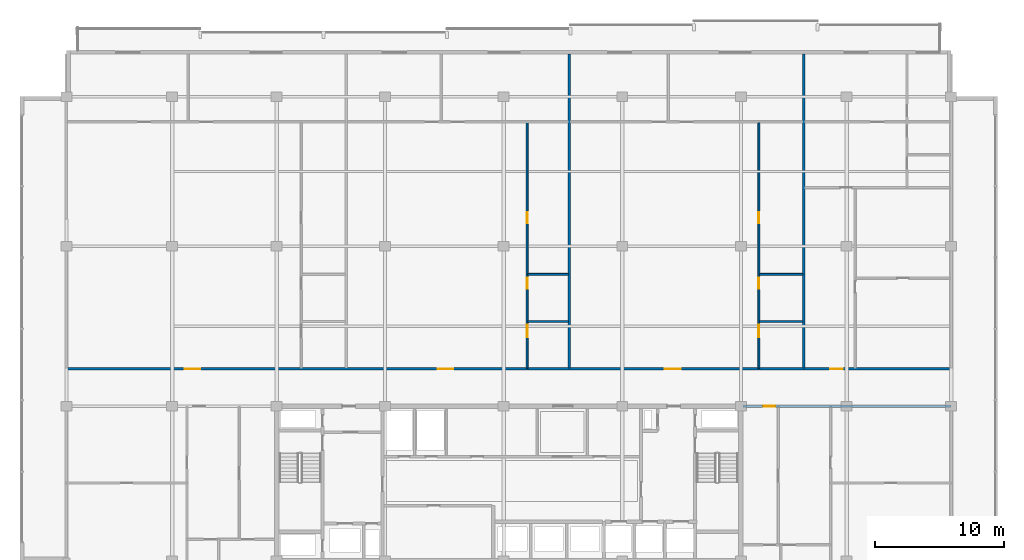
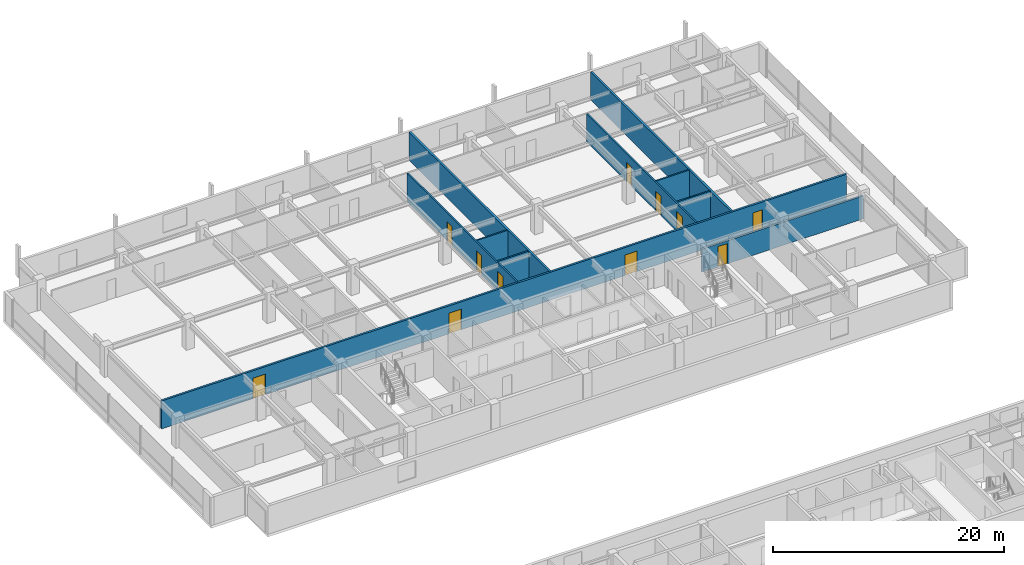
# One storey, part 24 of 32: 11 doors, 10 walls, 11 openings.
"""IFC4 building model written with IfcOpenShell, lengths in metres."""

from ifc_helpers import new_model, si_unit, direction, frame, frame_2d, origin, place, context, subcontext, project, spatial, rectangle, extrude, material, layer, layer_set, type_object, element, fill, save


model = new_model("IFC4")

# Units and contexts
model_context = context("Model", 3, precision=1e-05, world=origin(), true_north=direction((0.0, 1.0)))
body_context = subcontext(model_context, "Body", "Model", "MODEL_VIEW")
ifc_project = project(units=[si_unit("LENGTHUNIT", "METRE"), si_unit("AREAUNIT", "SQUARE_METRE"), si_unit("VOLUMEUNIT", "CUBIC_METRE"), si_unit("PLANEANGLEUNIT", "RADIAN"), si_unit("MASSUNIT", "GRAM", prefix="KILO")], contexts=[model_context])

# Site, building, storey
site_placement = place(None, origin())
site = spatial("IfcSite", under=ifc_project, at=site_placement, CompositionType="ELEMENT")
building_placement = place(site_placement, origin())
building = spatial("IfcBuilding", under=site, at=building_placement, Name="Korimba Cascade Residences", CompositionType="ELEMENT")
storey_placement = place(building_placement, frame((0.0, 0.0, 178.35009765625)))
storey = spatial("IfcBuildingStorey", under=building, at=storey_placement, Name="L51", CompositionType="ELEMENT", Elevation=178.35009765625)

# Wall, opening, door
ifc_material_1 = material(Name="Precast concrete C40/50", Category="concrete")
ifc_layer_1 = layer(ifc_material_1, 0.199951171875)
ifc_layer_set_1 = layer_set([ifc_layer_1], Name="Precast concrete C40/50")
wall_type_1 = type_object("IfcWallType", Name="WAL-IT-200", PredefinedType="PARTITIONING", material=ifc_layer_set_1)
wall_1_placement = place(storey_placement, frame((112.25, 67.199951171875, 0.0), z_axis=(0.0, 0.0, 1.0), x_axis=(1.0, 0.0, 0.0)))
wall_1 = element("IfcWall", 1, at=wall_1_placement, inside=storey, type_object=wall_type_1, Name="L51 Partition Wall WAL-L51-T1-FE-N", PredefinedType="PARTITIONING", context=body_context, shape_type="SweptSolid", body=[
    extrude(rectangle(XDim=16.14990234375, YDim=0.199951171875, at=frame_2d((8.074951171875, 0.0))), origin(), (0.0, 0.0, 1.0), 2.43310546875),
])
opening_1_placement = place(wall_1_placement, frame((1.580078125, 0.0, 0.0)))
opening_1 = element("IfcOpeningElement", 2, at=opening_1_placement, cuts=wall_1, Name="Opening D-UN1", PredefinedType="OPENING", context=body_context, shape_type="SweptSolid", body=[
    extrude(rectangle(XDim=0.949951171875, YDim=2.14990234375, at=frame_2d((0.47509765625, 1.074951171875))), frame((0.0, 0.10986328125, 0.0), z_axis=(0.0, -1.0, 0.0), x_axis=(1.0, 0.0, 0.0)), (0.0, 0.0, 1.0), 0.219970703125),
])
ifc_material_2 = material(Name="Fire-Rated Hardwood Apartment Entrance Door", Category="wood")
door_type_1 = type_object("IfcDoorType", Name="DR-FD60-950", OperationType="NOTDEFINED", PredefinedType="DOOR", material=ifc_material_2)
door_1_placement = place(opening_1_placement, origin())
door_1 = element("IfcDoor", 3, at=door_1_placement, inside=storey, type_object=door_type_1, Name="L51-T1-FE Entrance Door", OperationType="SINGLE_SWING_RIGHT", OverallHeight=2.14990234375, OverallWidth=0.949951171875, PredefinedType="DOOR", context=body_context, shape_type="SweptSolid", body=[
    extrude(rectangle(XDim=0.949951171875, YDim=2.14990234375, at=frame_2d((0.47509765625, 1.074951171875))), frame((0.0, 0.02490234375, 0.0), z_axis=(0.0, -1.0, 0.0), x_axis=(1.0, 0.0, 0.0)), (0.0, 0.0, 1.0), 0.050048828125),
])
fill(opening_1, door_1)

# Walls
for number, where, z_axis, x_axis, name in (
    (4, (98.79736328125, 70.179931640625, 0.0), (0.0, 0.0, 1.0), (0.0, 1.0, 0.0), "L51 Partition Wall WAL-L51-T1-DEM-2"),
    (5, (116.987060546875, 70.179931640625, 0.0), (0.0, 0.0, 1.0), (0.0, 1.0, 0.0), "L51 Partition Wall WAL-L51-T1-DEM-3"),
):
    element("IfcWall", number, at=place(storey_placement, frame(where, z_axis=z_axis, x_axis=x_axis)), inside=storey, type_object=wall_type_1, Name=name, PredefinedType="PARTITIONING", context=body_context, shape_type="SweptSolid", body=[
        extrude(rectangle(XDim=24.320068359375, YDim=0.199951171875, at=frame_2d((12.16015625, 0.0))), origin(), (0.0, 0.0, 1.0), 2.969970703125),
    ])

# Wall, openings, doors
wall_2_placement = place(storey_placement, frame((59.800048828125, 70.10009765625, 0.0), z_axis=(0.0, 0.0, 1.0), x_axis=(1.0, 0.0, 0.0)))
wall_2 = element("IfcWall", 6, at=wall_2_placement, inside=storey, type_object=wall_type_1, Name="L51 Partition Wall WAL-L51-T1-CORN", PredefinedType="PARTITIONING", context=body_context, shape_type="SweptSolid", body=[
    extrude(rectangle(XDim=68.599853515625, YDim=0.199951171875, at=frame_2d((34.2998046875, 0.0))), origin(), (0.0, 0.0, 1.0), 2.969970703125),
])
opening_2_placement = place(wall_2_placement, frame((9.163818359375, 0.0, 0.0)))
opening_2 = element("IfcOpeningElement", 7, at=opening_2_placement, cuts=wall_2, Name="Opening D-AM1", PredefinedType="OPENING", context=body_context, shape_type="SweptSolid", body=[
    extrude(rectangle(XDim=1.219970703125, YDim=2.179931640625, at=frame_2d((0.60986328125, 1.08984375))), frame((0.0, 0.10986328125, 0.0), z_axis=(0.0, -1.0, 0.0), x_axis=(1.0, 0.0, 0.0)), (0.0, 0.0, 1.0), 0.219970703125),
])
opening_3_placement = place(wall_2_placement, frame((28.777587890625, 0.0, 0.0)))
opening_3 = element("IfcOpeningElement", 8, at=opening_3_placement, cuts=wall_2, Name="Opening D-AM1", PredefinedType="OPENING", context=body_context, shape_type="SweptSolid", body=[
    extrude(rectangle(XDim=1.219970703125, YDim=2.179931640625, at=frame_2d((0.60986328125, 1.08984375))), frame((0.0, 0.10986328125, 0.0), z_axis=(0.0, -1.0, 0.0), x_axis=(1.0, 0.0, 0.0)), (0.0, 0.0, 1.0), 0.219970703125),
])
opening_4_placement = place(wall_2_placement, frame((46.402099609375, 0.0, 0.0)))
opening_4 = element("IfcOpeningElement", 9, at=opening_4_placement, cuts=wall_2, Name="Opening D-AM1", PredefinedType="OPENING", context=body_context, shape_type="SweptSolid", body=[
    extrude(rectangle(XDim=1.219970703125, YDim=2.179931640625, at=frame_2d((0.60986328125, 1.08984375))), frame((0.0, 0.10986328125, 0.0), z_axis=(0.0, -1.0, 0.0), x_axis=(1.0, 0.0, 0.0)), (0.0, 0.0, 1.0), 0.219970703125),
])
opening_5_placement = place(wall_2_placement, frame((59.232177734375, 0.0, 0.0)))
opening_5 = element("IfcOpeningElement", 10, at=opening_5_placement, cuts=wall_2, Name="Opening D-UN1", PredefinedType="OPENING", context=body_context, shape_type="SweptSolid", body=[
    extrude(rectangle(XDim=0.949951171875, YDim=2.14990234375, at=frame_2d((0.47509765625, 1.074951171875))), frame((0.0, 0.10986328125, 0.0), z_axis=(0.0, -1.0, 0.0), x_axis=(1.0, 0.0, 0.0)), (0.0, 0.0, 1.0), 0.219970703125),
])
ifc_material_3 = material(Name="Fire-Rated Glazed Timber Suite Door", Category="wood")
door_type_2 = type_object("IfcDoorType", Name="DR-FD60-1200", OperationType="NOTDEFINED", PredefinedType="DOOR", material=ifc_material_3)
door_2_placement = place(opening_2_placement, origin())
door_2 = element("IfcDoor", 11, at=door_2_placement, inside=storey, type_object=door_type_2, Name="L51-T1-U01 Transfer Reception Foyer Door", OperationType="SINGLE_SWING_LEFT", OverallHeight=2.179931640625, OverallWidth=1.219970703125, PredefinedType="DOOR", context=body_context, shape_type="SweptSolid", body=[
    extrude(rectangle(XDim=1.219970703125, YDim=2.179931640625, at=frame_2d((0.60986328125, 1.08984375))), frame((0.0, 0.02490234375, 0.0), z_axis=(0.0, -1.0, 0.0), x_axis=(1.0, 0.0, 0.0)), (0.0, 0.0, 1.0), 0.050048828125),
])
fill(opening_2, door_2)
door_3_placement = place(opening_3_placement, origin())
door_3 = element("IfcDoor", 12, at=door_3_placement, inside=storey, type_object=door_type_2, Name="L51-T1-U02 Business Collaboration Office Door", OperationType="SINGLE_SWING_RIGHT", OverallHeight=2.179931640625, OverallWidth=1.219970703125, PredefinedType="DOOR", context=body_context, shape_type="SweptSolid", body=[
    extrude(rectangle(XDim=1.219970703125, YDim=2.179931640625, at=frame_2d((0.60986328125, 1.08984375))), frame((0.0, 0.02490234375, 0.0), z_axis=(0.0, -1.0, 0.0), x_axis=(1.0, 0.0, 0.0)), (0.0, 0.0, 1.0), 0.050048828125),
])
fill(opening_3, door_3)
door_4_placement = place(opening_4_placement, origin())
door_4 = element("IfcDoor", 13, at=door_4_placement, inside=storey, type_object=door_type_2, Name="L51-T1-U03 Promenade Design Showroom Door", OperationType="SINGLE_SWING_LEFT", OverallHeight=2.179931640625, OverallWidth=1.219970703125, PredefinedType="DOOR", context=body_context, shape_type="SweptSolid", body=[
    extrude(rectangle(XDim=1.219970703125, YDim=2.179931640625, at=frame_2d((0.60986328125, 1.08984375))), frame((0.0, 0.02490234375, 0.0), z_axis=(0.0, -1.0, 0.0), x_axis=(1.0, 0.0, 0.0)), (0.0, 0.0, 1.0), 0.050048828125),
])
fill(opening_4, door_4)
door_5_placement = place(opening_5_placement, origin())
door_5 = element("IfcDoor", 14, at=door_5_placement, inside=storey, type_object=door_type_1, Name="Unit L51-T1-U04 Entrance Door", OperationType="SINGLE_SWING_RIGHT", OverallHeight=2.14990234375, OverallWidth=0.949951171875, PredefinedType="DOOR", context=body_context, shape_type="SweptSolid", body=[
    extrude(rectangle(XDim=0.949951171875, YDim=2.14990234375, at=frame_2d((0.47509765625, 1.074951171875))), frame((0.0, 0.02490234375, 0.0), z_axis=(0.0, -1.0, 0.0), x_axis=(1.0, 0.0, 0.0)), (0.0, 0.0, 1.0), 0.050048828125),
])
fill(opening_5, door_5)

# Walls
ifc_material_4 = material(Name="Insulated Acoustic Stud Partition", Category="gypsum")
ifc_layer_2 = layer(ifc_material_4, 0.14990234375)
ifc_layer_set_2 = layer_set([ifc_layer_2], Name="Insulated Acoustic Stud Partition")
wall_type_2 = type_object("IfcWallType", Name="WAL-PART-150", PredefinedType="PARTITIONING", material=ifc_layer_set_2)
for number, where, z_axis, x_axis, name in (
    (15, (95.58740234375, 73.77001953125, 0.0), (0.0, 0.0, 1.0), (1.0, 0.0, 0.0), "L51 Partition Wall WAL-L51-T1-U02-WCH"),
    (16, (95.58740234375, 77.419921875, 0.0), (0.0, 0.0, 1.0), (1.0, 0.0, 0.0), "L51 Partition Wall WAL-L51-T1-U02-WCH2"),
):
    element("IfcWall", number, at=place(storey_placement, frame(where, z_axis=z_axis, x_axis=x_axis)), inside=storey, type_object=wall_type_2, Name=name, PredefinedType="PARTITIONING", context=body_context, shape_type="SweptSolid", body=[
        extrude(rectangle(XDim=3.1298828125, YDim=0.14990234375, at=frame_2d((1.56494140625, 0.0))), origin(), (0.0, 0.0, 1.0), 2.969970703125),
    ])

# Wall, openings, doors
wall_3_placement = place(storey_placement, frame((95.52734375, 70.159912109375, 0.0), z_axis=(0.0, 0.0, 1.0), x_axis=(0.0, 1.0, 0.0)))
wall_3 = element("IfcWall", 17, at=wall_3_placement, inside=storey, type_object=wall_type_2, Name="L51 Partition Wall WAL-L51-T1-U02-WCV", PredefinedType="PARTITIONING", context=body_context, shape_type="SweptSolid", body=[
    extrude(rectangle(XDim=19.030029296875, YDim=0.14990234375, at=frame_2d((9.51513671875, 0.0))), origin(), (0.0, 0.0, 1.0), 2.969970703125),
])
opening_6_placement = place(wall_3_placement, frame((2.406005859375, 0.0, 0.0)))
opening_6 = element("IfcOpeningElement", 18, at=opening_6_placement, cuts=wall_3, Name="Opening D-AC1", PredefinedType="OPENING", context=body_context, shape_type="SweptSolid", body=[
    extrude(rectangle(XDim=0.9599609375, YDim=2.10009765625, at=frame_2d((0.47998046875, 1.050048828125))), frame((0.0, 0.0849609375, 0.0), z_axis=(0.0, -1.0, 0.0), x_axis=(1.0, 0.0, 0.0)), (0.0, 0.0, 1.0), 0.169921875),
])
opening_7_placement = place(wall_3_placement, frame((6.132568359375, 0.0, 0.0)))
opening_7 = element("IfcOpeningElement", 19, at=opening_7_placement, cuts=wall_3, Name="Opening D-IN2", PredefinedType="OPENING", context=body_context, shape_type="SweptSolid", body=[
    extrude(rectangle(XDim=0.8798828125, YDim=2.06005859375, at=frame_2d((0.43994140625, 1.030029296875))), frame((0.0, 0.0849609375, 0.0), z_axis=(0.0, -1.0, 0.0), x_axis=(1.0, 0.0, 0.0)), (0.0, 0.0, 1.0), 0.169921875),
])
opening_8_placement = place(wall_3_placement, frame((11.229248046875, 0.0, 0.0)))
opening_8 = element("IfcOpeningElement", 20, at=opening_8_placement, cuts=wall_3, Name="Opening D-BT1", PredefinedType="OPENING", context=body_context, shape_type="SweptSolid", body=[
    extrude(rectangle(XDim=0.840087890625, YDim=2.0400390625, at=frame_2d((0.419921875, 1.02001953125))), frame((0.0, 0.0849609375, 0.0), z_axis=(0.0, -1.0, 0.0), x_axis=(1.0, 0.0, 0.0)), (0.0, 0.0, 1.0), 0.169921875),
])
ifc_material_5 = material(Name="Accessible Acoustic Timber WC Door", Category="wood")
door_type_3 = type_object("IfcDoorType", Name="DR-ACC-950", OperationType="NOTDEFINED", PredefinedType="DOOR", material=ifc_material_5)
door_6_placement = place(opening_6_placement, origin())
door_6 = element("IfcDoor", 21, at=door_6_placement, inside=storey, type_object=door_type_3, Name="L51-T1-U02 Accessible WC Door", OperationType="SINGLE_SWING_RIGHT", OverallHeight=2.10009765625, OverallWidth=0.9599609375, PredefinedType="DOOR", context=body_context, shape_type="SweptSolid", body=[
    extrude(rectangle(XDim=0.9599609375, YDim=2.10009765625, at=frame_2d((0.47998046875, 1.050048828125))), frame((0.0, 0.02490234375, 0.0), z_axis=(0.0, -1.0, 0.0), x_axis=(1.0, 0.0, 0.0)), (0.0, 0.0, 1.0), 0.050048828125),
])
fill(opening_6, door_6)
ifc_material_6 = material(Name="Moisture-Resistant Bathroom Timber Door", Category="wood")
door_type_4 = type_object("IfcDoorType", Name="DR-INT-850", OperationType="NOTDEFINED", PredefinedType="DOOR", material=ifc_material_6)
door_7_placement = place(opening_8_placement, origin())
door_7 = element("IfcDoor", 22, at=door_7_placement, inside=storey, type_object=door_type_4, Name="L51-T1-U02 Suite Store Door", OperationType="SINGLE_SWING_RIGHT", OverallHeight=2.0400390625, OverallWidth=0.840087890625, PredefinedType="DOOR", context=body_context, shape_type="SweptSolid", body=[
    extrude(rectangle(XDim=0.840087890625, YDim=2.0400390625, at=frame_2d((0.419921875, 1.02001953125))), frame((0.0, 0.02490234375, 0.0), z_axis=(0.0, -1.0, 0.0), x_axis=(1.0, 0.0, 0.0)), (0.0, 0.0, 1.0), 0.050048828125),
])
fill(opening_8, door_7)
ifc_material_7 = material(Name="Acoustic Timber Bedroom Door", Category="wood")
door_type_5 = type_object("IfcDoorType", Name="DR-INT-880", OperationType="NOTDEFINED", PredefinedType="DOOR", material=ifc_material_7)
door_8_placement = place(opening_7_placement, origin())
door_8 = element("IfcDoor", 23, at=door_8_placement, inside=storey, type_object=door_type_5, Name="L51-T1-U02 Restroom WC Door", OperationType="SINGLE_SWING_LEFT", OverallHeight=2.06005859375, OverallWidth=0.8798828125, PredefinedType="DOOR", context=body_context, shape_type="SweptSolid", body=[
    extrude(rectangle(XDim=0.8798828125, YDim=2.06005859375, at=frame_2d((0.43994140625, 1.030029296875))), frame((0.0, 0.02490234375, 0.0), z_axis=(0.0, -1.0, 0.0), x_axis=(1.0, 0.0, 0.0)), (0.0, 0.0, 1.0), 0.050048828125),
])
fill(opening_7, door_8)

# Walls
for number, where, z_axis, x_axis, name in (
    (24, (113.547119140625, 73.77001953125, 0.0), (0.0, 0.0, 1.0), (1.0, 0.0, 0.0), "L51 Partition Wall WAL-L51-T1-U03-WCH"),
    (25, (113.547119140625, 77.419921875, 0.0), (0.0, 0.0, 1.0), (1.0, 0.0, 0.0), "L51 Partition Wall WAL-L51-T1-U03-WCH2"),
):
    element("IfcWall", number, at=place(storey_placement, frame(where, z_axis=z_axis, x_axis=x_axis)), inside=storey, type_object=wall_type_2, Name=name, PredefinedType="PARTITIONING", context=body_context, shape_type="SweptSolid", body=[
        extrude(rectangle(XDim=3.35986328125, YDim=0.14990234375, at=frame_2d((1.679931640625, 0.0))), origin(), (0.0, 0.0, 1.0), 2.969970703125),
    ])

# Wall, openings, doors
wall_4_placement = place(storey_placement, frame((113.487060546875, 70.159912109375, 0.0), z_axis=(0.0, 0.0, 1.0), x_axis=(0.0, 1.0, 0.0)))
wall_4 = element("IfcWall", 26, at=wall_4_placement, inside=storey, type_object=wall_type_2, Name="L51 Partition Wall WAL-L51-T1-U03-WCV", PredefinedType="PARTITIONING", context=body_context, shape_type="SweptSolid", body=[
    extrude(rectangle(XDim=19.030029296875, YDim=0.14990234375, at=frame_2d((9.51513671875, 0.0))), origin(), (0.0, 0.0, 1.0), 2.969970703125),
])
opening_9_placement = place(wall_4_placement, frame((2.406005859375, 0.0, 0.0)))
opening_9 = element("IfcOpeningElement", 27, at=opening_9_placement, cuts=wall_4, Name="Opening D-AC1", PredefinedType="OPENING", context=body_context, shape_type="SweptSolid", body=[
    extrude(rectangle(XDim=0.9599609375, YDim=2.10009765625, at=frame_2d((0.47998046875, 1.050048828125))), frame((0.0, 0.0849609375, 0.0), z_axis=(0.0, -1.0, 0.0), x_axis=(1.0, 0.0, 0.0)), (0.0, 0.0, 1.0), 0.169921875),
])
opening_10_placement = place(wall_4_placement, frame((6.132568359375, 0.0, 0.0)))
opening_10 = element("IfcOpeningElement", 28, at=opening_10_placement, cuts=wall_4, Name="Opening D-IN2", PredefinedType="OPENING", context=body_context, shape_type="SweptSolid", body=[
    extrude(rectangle(XDim=0.8798828125, YDim=2.06005859375, at=frame_2d((0.43994140625, 1.030029296875))), frame((0.0, 0.0849609375, 0.0), z_axis=(0.0, -1.0, 0.0), x_axis=(1.0, 0.0, 0.0)), (0.0, 0.0, 1.0), 0.169921875),
])
opening_11_placement = place(wall_4_placement, frame((11.229248046875, 0.0, 0.0)))
opening_11 = element("IfcOpeningElement", 29, at=opening_11_placement, cuts=wall_4, Name="Opening D-BT1", PredefinedType="OPENING", context=body_context, shape_type="SweptSolid", body=[
    extrude(rectangle(XDim=0.840087890625, YDim=2.0400390625, at=frame_2d((0.419921875, 1.02001953125))), frame((0.0, 0.0849609375, 0.0), z_axis=(0.0, -1.0, 0.0), x_axis=(1.0, 0.0, 0.0)), (0.0, 0.0, 1.0), 0.169921875),
])
door_9_placement = place(opening_9_placement, origin())
door_9 = element("IfcDoor", 30, at=door_9_placement, inside=storey, type_object=door_type_3, Name="L51-T1-U03 Accessible WC Door", OperationType="SINGLE_SWING_LEFT", OverallHeight=2.10009765625, OverallWidth=0.9599609375, PredefinedType="DOOR", context=body_context, shape_type="SweptSolid", body=[
    extrude(rectangle(XDim=0.9599609375, YDim=2.10009765625, at=frame_2d((0.47998046875, 1.050048828125))), frame((0.0, 0.02490234375, 0.0), z_axis=(0.0, -1.0, 0.0), x_axis=(1.0, 0.0, 0.0)), (0.0, 0.0, 1.0), 0.050048828125),
])
fill(opening_9, door_9)
door_10_placement = place(opening_11_placement, origin())
door_10 = element("IfcDoor", 31, at=door_10_placement, inside=storey, type_object=door_type_4, Name="L51-T1-U03 Suite Store Door", OperationType="SINGLE_SWING_LEFT", OverallHeight=2.0400390625, OverallWidth=0.840087890625, PredefinedType="DOOR", context=body_context, shape_type="SweptSolid", body=[
    extrude(rectangle(XDim=0.840087890625, YDim=2.0400390625, at=frame_2d((0.419921875, 1.02001953125))), frame((0.0, 0.02490234375, 0.0), z_axis=(0.0, -1.0, 0.0), x_axis=(1.0, 0.0, 0.0)), (0.0, 0.0, 1.0), 0.050048828125),
])
fill(opening_11, door_10)
door_11_placement = place(opening_10_placement, origin())
door_11 = element("IfcDoor", 32, at=door_11_placement, inside=storey, type_object=door_type_5, Name="L51-T1-U03 Restroom WC Door", OperationType="SINGLE_SWING_RIGHT", OverallHeight=2.06005859375, OverallWidth=0.8798828125, PredefinedType="DOOR", context=body_context, shape_type="SweptSolid", body=[
    extrude(rectangle(XDim=0.8798828125, YDim=2.06005859375, at=frame_2d((0.43994140625, 1.030029296875))), frame((0.0, 0.02490234375, 0.0), z_axis=(0.0, -1.0, 0.0), x_axis=(1.0, 0.0, 0.0)), (0.0, 0.0, 1.0), 0.050048828125),
])
fill(opening_10, door_11)

save(model, "model.ifc")
